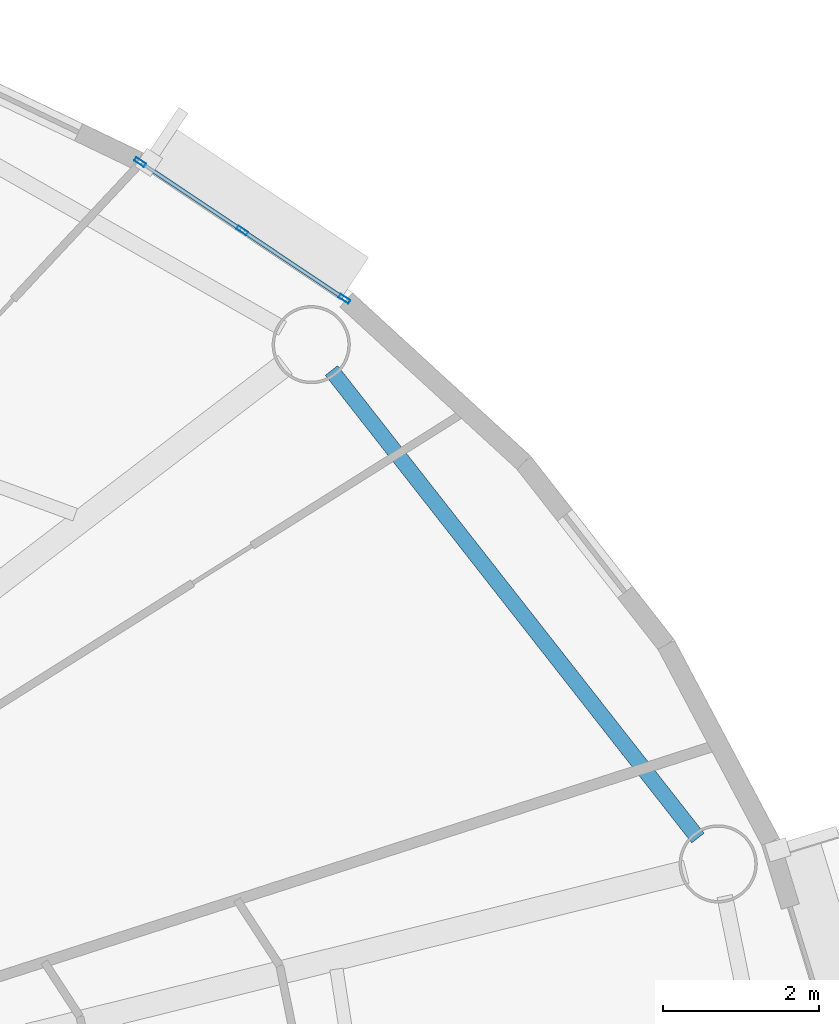
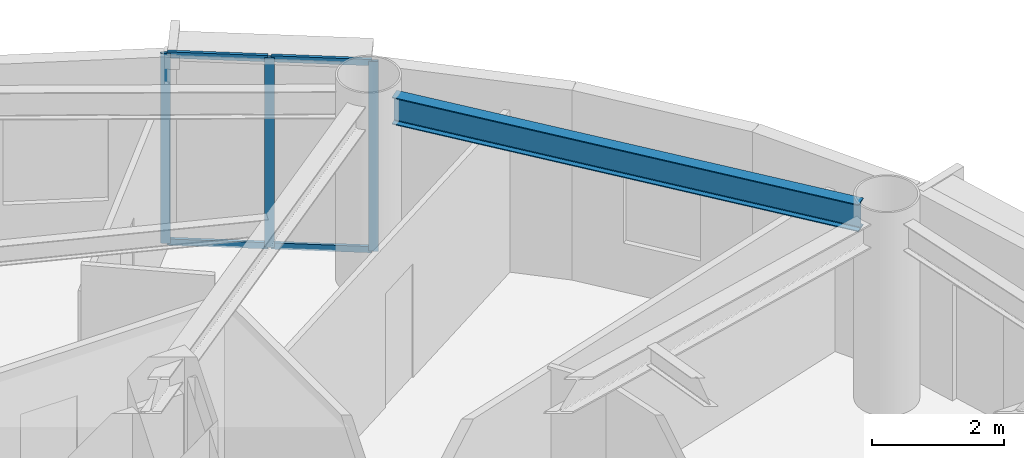
# One storey, part 3 of 17: 7 members, 1 beam, 1 element without a shape of its own.
"""IFC4 building model written with IfcOpenShell, lengths in metres."""

from ifc_helpers import new_model, si_unit, direction, frame, origin, origin_2d, place, context, subcontext, project, spatial, hollow_rectangle, i_section, extrude, source, transform, mapped, material, layer, layer_set, material_profile, profile_set, type_object, element, aggregate, save


model = new_model("IFC4")

# Units and contexts
model_context = context("Model", 3, precision=1e-05, world=origin(), true_north=direction((0.0, 1.0)))
body_context = subcontext(model_context, "Body", "Model", "MODEL_VIEW")
ifc_project = project(units=[si_unit("LENGTHUNIT", "METRE"), si_unit("AREAUNIT", "SQUARE_METRE"), si_unit("VOLUMEUNIT", "CUBIC_METRE"), si_unit("PLANEANGLEUNIT", "RADIAN"), si_unit("MASSUNIT", "GRAM", prefix="KILO")], contexts=[model_context])

# Site, building, storey
site_placement = place(None, origin())
site = spatial("IfcSite", under=ifc_project, at=site_placement, CompositionType="ELEMENT")
building_placement = place(site_placement, origin())
building = spatial("IfcBuilding", under=site, at=building_placement, Name="Linh Dai School and Residence Tower", CompositionType="ELEMENT")
storey_placement = place(building_placement, frame((0.0, 0.0, 303.0)))
storey = spatial("IfcBuildingStorey", under=building, at=storey_placement, Name="L75", CompositionType="ELEMENT", Elevation=303.0)

# Beam
ifc_material_1 = material(Name="Structural Steel S355JR", Category="steel")
ifc_material_profile_1 = material_profile(ifc_material_1, i_section(OverallWidth=0.199951171875, OverallDepth=0.5, WebThickness=0.01025390625, FlangeThickness=0.01611328125, FilletRadius=0.02099609375, at=origin_2d()), Name="IPE 500")
ifc_profile_set_1 = profile_set([ifc_material_profile_1], Name="Structural Steel S355JR")
beam_type = type_object("IfcBeamType", Name="BM-RB50", PredefinedType="BEAM", material=ifc_profile_set_1)
beam_placement = place(storey_placement, frame((56.259521484375, 32.425048828125, 3.25), z_axis=(-0.616882739554, 0.787055071542, 0.0), x_axis=(-0.787055071542, -0.616882739554, 0.0)))
element("IfcBeam", 1, at=beam_placement, inside=storey, type_object=beam_type, Name="L75 Perimeter Elliptical Ring Beam 02", PredefinedType="BEAM", context=body_context, shape_type="SweptSolid", body=[
    extrude(i_section(OverallWidth=0.199951171875, OverallDepth=0.5, WebThickness=0.01025390625, FlangeThickness=0.01611328125, FilletRadius=0.02099609375, at=origin_2d()), origin(), (0.0, 0.0, 1.0), 7.59521484375),
])

# Curtain wall, members
ifc_material_2 = material(Name="Aluminium Anodised Curtain Wall", Category="aluminium")
ifc_layer = layer(ifc_material_2, 0.14990234375)
ifc_layer_set = layer_set([ifc_layer], Name="Aluminium Anodised Curtain Wall")
curtain_wall_type = type_object("IfcCurtainWallType", Name="CW-SYS-4", PredefinedType="USERDEFINED", material=ifc_layer_set)
curtain_wall_placement = place(storey_placement, origin())
curtain_wall = element("IfcCurtainWall", 2, at=curtain_wall_placement, inside=storey, type_object=curtain_wall_type, Name="L75 CW4 Curtain Wall 06", ObjectType="RIBBON CURTAIN WALL", PredefinedType="USERDEFINED")
ifc_material_3 = material(Name="Aluminium Alloy 6063-T6", Category="aluminium")
ifc_material_profile_2 = material_profile(ifc_material_3, hollow_rectangle(XDim=0.052001953125, YDim=0.14990234375, WallThickness=0.00390625, at=origin_2d()), Name="RHS 150x52x4")
ifc_profile_set_2 = profile_set([ifc_material_profile_2], Name="Aluminium Alloy 6063-T6")
member_type_1 = type_object("IfcMemberType", Name="CW-SYS-4-MUL", PredefinedType="MULLION", material=ifc_profile_set_2)
shared_shape_1 = source(origin(), body_context, "Body", "SweptSolid", [
    extrude(hollow_rectangle(XDim=0.052001953125, YDim=0.14990234375, WallThickness=0.00390625, at=origin_2d()), origin(), (0.0, 0.0, 1.0), 3.5),
])
member_1_placement = place(storey_placement, frame((49.126220703125, 41.067138671875, 0.0), z_axis=(0.0, 0.0, 1.0), x_axis=(0.555907926874, 0.831243873264, 0.0)))
member_1 = element("IfcMember", 3, at=member_1_placement, type_object=member_type_1, Name="CW4 mullion 1", PredefinedType="MULLION", context=body_context, shape_type="MappedRepresentation", body=[
    mapped(shared_shape_1, transform((0.0, 0.0, 0.0), x_axis=(1.0, 0.0, 0.0), y_axis=(0.0, 1.0, 0.0), z_axis=(0.0, 0.0, 1.0), scale=1.0)),
])
member_2_placement = place(storey_placement, frame((50.433349609375, 40.19287109375, 0.0), z_axis=(0.0, 0.0, 1.0), x_axis=(0.555907926874, 0.831243873264, 0.0)))
member_2 = element("IfcMember", 4, at=member_2_placement, type_object=member_type_1, Name="CW4 mullion 2", PredefinedType="MULLION", context=body_context, shape_type="MappedRepresentation", body=[
    mapped(shared_shape_1, transform((0.0, 0.0, 0.0), x_axis=(1.0, 0.0, 0.0), y_axis=(0.0, 1.0, 0.0), z_axis=(0.0, 0.0, 1.0), scale=1.0)),
])
member_3_placement = place(storey_placement, frame((51.740478515625, 39.318603515625, 0.0), z_axis=(0.0, 0.0, 1.0), x_axis=(0.555907926874, 0.831243873264, 0.0)))
member_3 = element("IfcMember", 5, at=member_3_placement, type_object=member_type_1, Name="CW4 mullion 3", PredefinedType="MULLION", context=body_context, shape_type="MappedRepresentation", body=[
    mapped(shared_shape_1, transform((0.0, 0.0, 0.0), x_axis=(1.0, 0.0, 0.0), y_axis=(0.0, 1.0, 0.0), z_axis=(0.0, 0.0, 1.0), scale=1.0)),
])
ifc_material_profile_3 = material_profile(ifc_material_3, hollow_rectangle(XDim=0.052001953125, YDim=0.114990234375, WallThickness=0.00390625, at=origin_2d()), Name="RHS 115x52x4")
ifc_profile_set_3 = profile_set([ifc_material_profile_3], Name="Aluminium Alloy 6063-T6")
member_type_2 = type_object("IfcMemberType", Name="CW-SYS-4-TRN", PredefinedType="USERDEFINED", material=ifc_profile_set_3)
shared_shape_2 = source(origin(), body_context, "Body", "SweptSolid", [
    extrude(hollow_rectangle(XDim=0.052001953125, YDim=0.114990234375, WallThickness=0.00390625, at=origin_2d()), origin(), (0.0, 0.0, 1.0), 1.5205078125),
])
member_4_placement = place(storey_placement, frame((49.147705078125, 41.052490234375, 0.02587890625), z_axis=(0.831258962343, -0.555885363653, 0.0), x_axis=(0.555885363653, 0.831258962343, 0.0)))
member_4 = element("IfcMember", 6, at=member_4_placement, type_object=member_type_2, Name="CW4 transom 1.1", ObjectType="TRANSOM", PredefinedType="USERDEFINED", context=body_context, shape_type="MappedRepresentation", body=[
    mapped(shared_shape_2, transform((0.0, 0.0, 0.0), x_axis=(1.0, 0.0, 0.0), y_axis=(0.0, 1.0, 0.0), z_axis=(0.0, 0.0, 1.0), scale=1.0)),
])
member_5_placement = place(storey_placement, frame((49.147705078125, 41.052490234375, 3.47412109375), z_axis=(0.831258962343, -0.555885363653, 0.0), x_axis=(0.555885363653, 0.831258962343, 0.0)))
member_5 = element("IfcMember", 7, at=member_5_placement, type_object=member_type_2, Name="CW4 transom 1.2", ObjectType="TRANSOM", PredefinedType="USERDEFINED", context=body_context, shape_type="MappedRepresentation", body=[
    mapped(shared_shape_2, transform((0.0, 0.0, 0.0), x_axis=(1.0, 0.0, 0.0), y_axis=(0.0, 1.0, 0.0), z_axis=(0.0, 0.0, 1.0), scale=1.0)),
])
member_6_placement = place(storey_placement, frame((50.455078125, 40.178466796875, 0.02587890625), z_axis=(0.831258962343, -0.555885363653, 0.0), x_axis=(0.555885363653, 0.831258962343, 0.0)))
member_6 = element("IfcMember", 8, at=member_6_placement, type_object=member_type_2, Name="CW4 transom 2.1", ObjectType="TRANSOM", PredefinedType="USERDEFINED", context=body_context, shape_type="MappedRepresentation", body=[
    mapped(shared_shape_2, transform((0.0, 0.0, 0.0), x_axis=(1.0, 0.0, 0.0), y_axis=(0.0, 1.0, 0.0), z_axis=(0.0, 0.0, 1.0), scale=1.0)),
])
member_7_placement = place(storey_placement, frame((50.455078125, 40.178466796875, 3.47412109375), z_axis=(0.831258962343, -0.555885363653, 0.0), x_axis=(0.555885363653, 0.831258962343, 0.0)))
member_7 = element("IfcMember", 9, at=member_7_placement, type_object=member_type_2, Name="CW4 transom 2.2", ObjectType="TRANSOM", PredefinedType="USERDEFINED", context=body_context, shape_type="MappedRepresentation", body=[
    mapped(shared_shape_2, transform((0.0, 0.0, 0.0), x_axis=(1.0, 0.0, 0.0), y_axis=(0.0, 1.0, 0.0), z_axis=(0.0, 0.0, 1.0), scale=1.0)),
])
aggregate(curtain_wall, [member_1, member_2, member_3, member_4, member_5, member_6, member_7])

save(model, "model.ifc")
